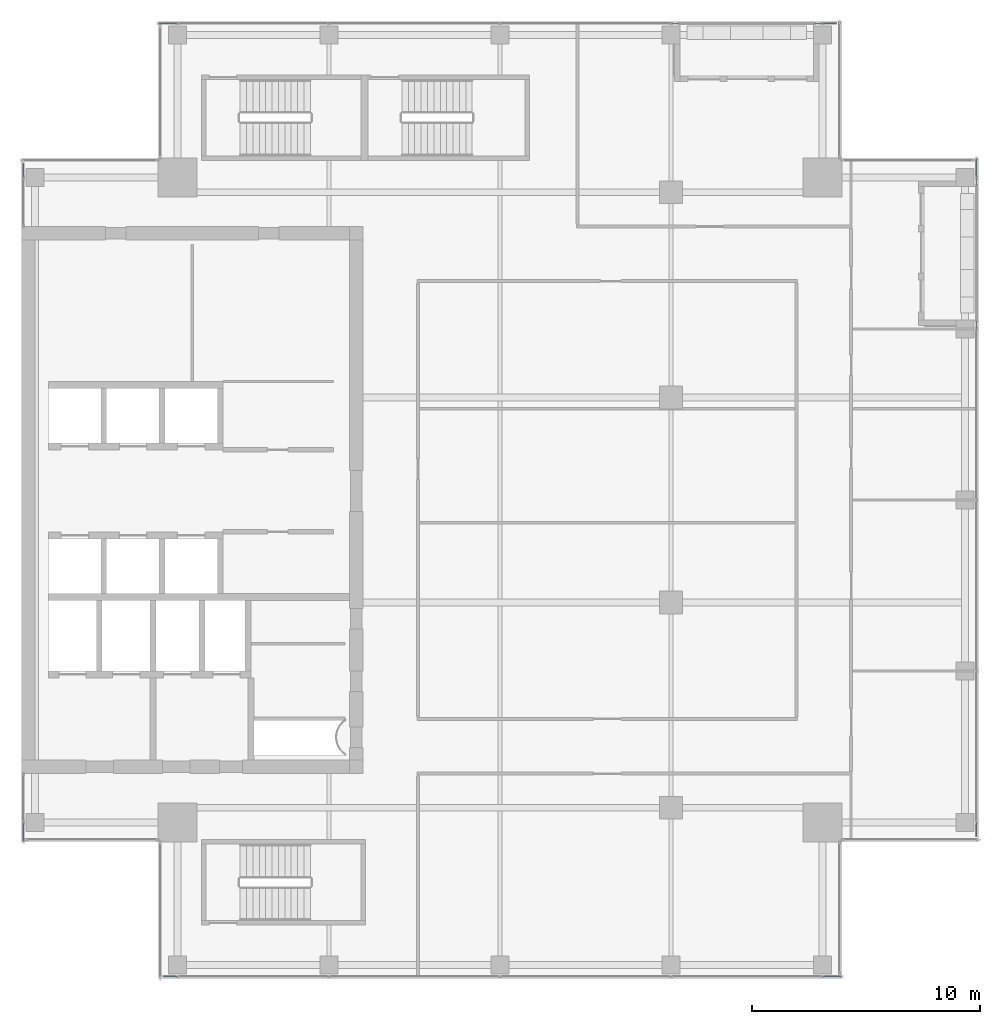
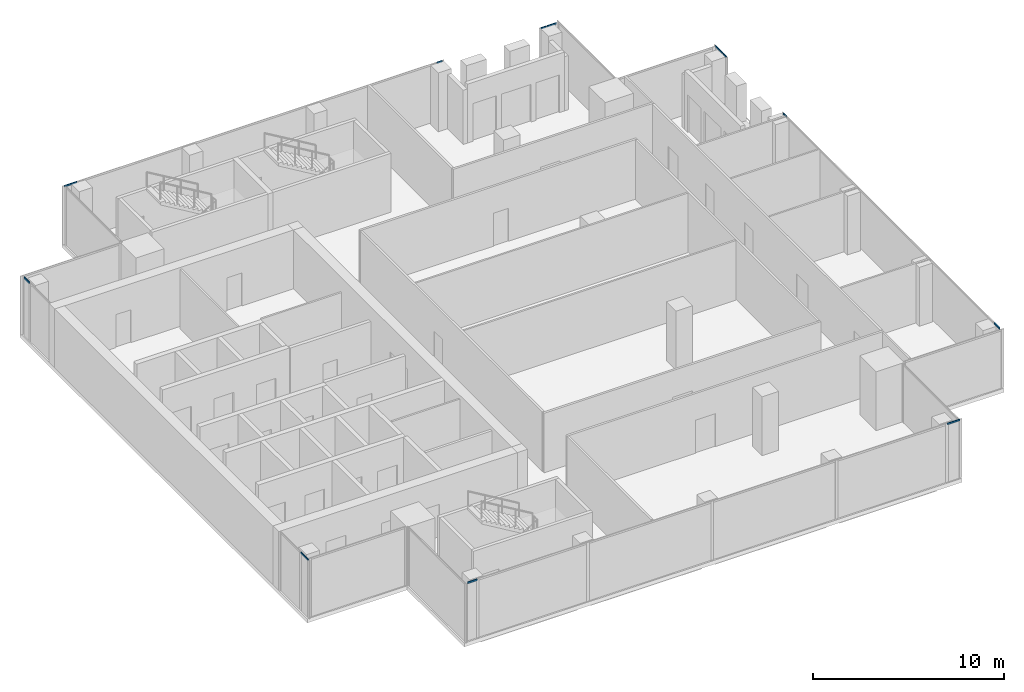
# One storey, part 19 of 29: 12 members, 7 elements without a shape of their own.
"""IFC4 building model written with IfcOpenShell, lengths in metres."""

from ifc_helpers import new_model, si_unit, direction, frame, origin, origin_2d, place, context, subcontext, project, spatial, hollow_rectangle, extrude, source, transform, mapped, material, material_profile, profile_set, type_object, element, aggregate, save


model = new_model("IFC4")

# Units and contexts
model_context = context("Model", 3, precision=1e-05, world=origin(), true_north=direction((0.0, 1.0)))
body_context = subcontext(model_context, "Body", "Model", "MODEL_VIEW")
ifc_project = project(units=[si_unit("LENGTHUNIT", "METRE"), si_unit("AREAUNIT", "SQUARE_METRE"), si_unit("VOLUMEUNIT", "CUBIC_METRE"), si_unit("PLANEANGLEUNIT", "RADIAN"), si_unit("MASSUNIT", "GRAM", prefix="KILO")], contexts=[model_context])

# Site, building, storey
site_placement = place(None, origin())
site = spatial("IfcSite", under=ifc_project, at=site_placement, CompositionType="ELEMENT")
building_placement = place(site_placement, origin())
building = spatial("IfcBuilding", under=site, at=building_placement, Name="Khomas Fold Tower", CompositionType="ELEMENT")
storey_placement = place(building_placement, frame((0.0, 0.0, 310.199951171875)))
storey = spatial("IfcBuildingStorey", under=building, at=storey_placement, Name="L70", CompositionType="ELEMENT", Elevation=310.199951171875)

# Curtain wall, member
ifc_material_1 = material(Name="Aluminium framed double glazing", Category="aluminium")
curtain_wall_type = type_object("IfcCurtainWallType", Name="SK-Unitised clear-glass wall, upper floors CW3", PredefinedType="NOTDEFINED", material=ifc_material_1)
curtain_wall_1_placement = place(storey_placement, origin())
curtain_wall_1 = element("IfcCurtainWall", 1, at=curtain_wall_1_placement, inside=storey, type_object=curtain_wall_type, Name="CW3 run L70 00-0", PredefinedType="NOTDEFINED")
ifc_material_2 = material(Name="Aluminium", Category="aluminium")
ifc_material_profile = material_profile(ifc_material_2, hollow_rectangle(XDim=0.050048828125, YDim=0.10009765625, WallThickness=0.00390625, at=origin_2d()), Name="SK-Unitised clear-glass wall, upper floors transom CW3-T")
ifc_profile_set = profile_set([ifc_material_profile], Name="Aluminium")
member_type = type_object("IfcMemberType", Name="SK-Unitised clear-glass wall, upper floors transom CW3-T", PredefinedType="USERDEFINED", material=ifc_profile_set)
shared_shape_1 = source(origin(), body_context, "Body", "SweptSolid", [
    extrude(hollow_rectangle(XDim=0.050048828125, YDim=0.10009765625, WallThickness=0.00390625, at=origin_2d()), origin(), (0.0, 0.0, 1.0), 0.574951171875),
])
member_1_placement = place(storey_placement, frame((12.25, 6.10009765625, 3.699951171875), z_axis=(1.0, 0.0, 0.0), x_axis=(0.0, 1.0, 0.0)))
member_1 = element("IfcMember", 2, at=member_1_placement, type_object=member_type, Name="CW3 transom 1", ObjectType="TRANSOM", PredefinedType="USERDEFINED", context=body_context, shape_type="MappedRepresentation", body=[
    mapped(shared_shape_1, transform((0.0, 0.0, 0.0))),
])

curtain_wall_2_placement = place(storey_placement, origin())
curtain_wall_2 = element("IfcCurtainWall", 3, at=curtain_wall_2_placement, inside=storey, type_object=curtain_wall_type, Name="CW3 run L70 03-0", PredefinedType="NOTDEFINED")
member_2_placement = place(storey_placement, frame((47.89990234375, 12.25, 3.699951171875), z_axis=(0.0, 1.0, 0.0), x_axis=(-1.0, 0.0, 0.0)))
member_2 = element("IfcMember", 4, at=member_2_placement, type_object=member_type, Name="CW3 transom 1", ObjectType="TRANSOM", PredefinedType="USERDEFINED", context=body_context, shape_type="MappedRepresentation", body=[
    mapped(shared_shape_1, transform((0.0, 0.0, 0.0))),
])

curtain_wall_3_placement = place(storey_placement, origin())
curtain_wall_3 = element("IfcCurtainWall", 5, at=curtain_wall_3_placement, inside=storey, type_object=curtain_wall_type, Name="CW3 run L70 06-0", PredefinedType="NOTDEFINED")
member_3_placement = place(storey_placement, frame((41.75, 47.89990234375, 3.699951171875), z_axis=(-1.0, 0.0, 0.0), x_axis=(0.0, -1.0, 0.0)))
member_3 = element("IfcMember", 6, at=member_3_placement, type_object=member_type, Name="CW3 transom 1", ObjectType="TRANSOM", PredefinedType="USERDEFINED", context=body_context, shape_type="MappedRepresentation", body=[
    mapped(shared_shape_1, transform((0.0, 0.0, 0.0))),
])

curtain_wall_4_placement = place(storey_placement, origin())
curtain_wall_4 = element("IfcCurtainWall", 7, at=curtain_wall_4_placement, inside=storey, type_object=curtain_wall_type, Name="CW3 run L70 09-0", PredefinedType="NOTDEFINED")
member_4_placement = place(storey_placement, frame((6.10009765625, 41.75, 3.699951171875), z_axis=(0.0, -1.0, 0.0), x_axis=(1.0, 0.0, 0.0)))
member_4 = element("IfcMember", 8, at=member_4_placement, type_object=member_type, Name="CW3 transom 1", ObjectType="TRANSOM", PredefinedType="USERDEFINED", context=body_context, shape_type="MappedRepresentation", body=[
    mapped(shared_shape_1, transform((0.0, 0.0, 0.0))),
])
aggregate(curtain_wall_4, [member_4])

# Member
shared_shape_2 = source(origin(), body_context, "Body", "SweptSolid", [
    extrude(hollow_rectangle(XDim=0.050048828125, YDim=0.10009765625, WallThickness=0.00390625, at=origin_2d()), origin(), (0.0, 0.0, 1.0), 0.77490234375),
])
member_5_placement = place(storey_placement, frame((41.175048828125, 6.10009765625, 3.699951171875), z_axis=(1.0, 0.0, 0.0), x_axis=(0.0, 1.0, 0.0)))
member_5 = element("IfcMember", 9, at=member_5_placement, type_object=member_type, Name="CW3 transom 6", ObjectType="TRANSOM", PredefinedType="USERDEFINED", context=body_context, shape_type="MappedRepresentation", body=[
    mapped(shared_shape_2, transform((0.0, 0.0, 0.0))),
])

aggregate(curtain_wall_1, [member_1, member_5])

# Curtain wall, member
curtain_wall_5_placement = place(storey_placement, origin())
curtain_wall_5 = element("IfcCurtainWall", 10, at=curtain_wall_5_placement, inside=storey, type_object=curtain_wall_type, Name="CW3 run L70 03-1", PredefinedType="NOTDEFINED")
member_6_placement = place(storey_placement, frame((47.89990234375, 41.175048828125, 3.699951171875), z_axis=(0.0, 1.0, 0.0), x_axis=(-1.0, 0.0, 0.0)))
member_6 = element("IfcMember", 11, at=member_6_placement, type_object=member_type, Name="CW3 transom 2", ObjectType="TRANSOM", PredefinedType="USERDEFINED", context=body_context, shape_type="MappedRepresentation", body=[
    mapped(shared_shape_2, transform((0.0, 0.0, 0.0))),
])

curtain_wall_6_placement = place(storey_placement, origin())
curtain_wall_6 = element("IfcCurtainWall", 12, at=curtain_wall_6_placement, inside=storey, type_object=curtain_wall_type, Name="CW3 run L70 06-1", PredefinedType="NOTDEFINED")
member_7_placement = place(storey_placement, frame((12.824951171875, 47.89990234375, 3.699951171875), z_axis=(-1.0, 0.0, 0.0), x_axis=(0.0, -1.0, 0.0)))
member_7 = element("IfcMember", 13, at=member_7_placement, type_object=member_type, Name="CW3 transom 5", ObjectType="TRANSOM", PredefinedType="USERDEFINED", context=body_context, shape_type="MappedRepresentation", body=[
    mapped(shared_shape_2, transform((0.0, 0.0, 0.0))),
])

curtain_wall_7_placement = place(storey_placement, origin())
curtain_wall_7 = element("IfcCurtainWall", 14, at=curtain_wall_7_placement, inside=storey, type_object=curtain_wall_type, Name="CW3 run L70 09-1", PredefinedType="NOTDEFINED")
member_8_placement = place(storey_placement, frame((6.10009765625, 12.824951171875, 3.699951171875), z_axis=(0.0, -1.0, 0.0), x_axis=(1.0, 0.0, 0.0)))
member_8 = element("IfcMember", 15, at=member_8_placement, type_object=member_type, Name="CW3 transom 2", ObjectType="TRANSOM", PredefinedType="USERDEFINED", context=body_context, shape_type="MappedRepresentation", body=[
    mapped(shared_shape_2, transform((0.0, 0.0, 0.0))),
])
aggregate(curtain_wall_7, [member_8])

# Member
shared_shape_3 = source(origin(), body_context, "Body", "SweptSolid", [
    extrude(hollow_rectangle(XDim=0.050048828125, YDim=0.10009765625, WallThickness=0.00390625, at=origin_2d()), origin(), (0.0, 0.0, 1.0), 0.3251953125),
])
member_9_placement = place(storey_placement, frame((47.89990234375, 34.52490234375, 3.699951171875), z_axis=(0.0, 1.0, 0.0), x_axis=(-1.0, 0.0, 0.0)))
member_9 = element("IfcMember", 16, at=member_9_placement, type_object=member_type, Name="CW3 transom 5", ObjectType="TRANSOM", PredefinedType="USERDEFINED", context=body_context, shape_type="MappedRepresentation", body=[
    mapped(shared_shape_3, transform((0.0, 0.0, 0.0))),
])

aggregate(curtain_wall_2, [member_2, member_9])

member_10_placement = place(storey_placement, frame((34.85009765625, 47.89990234375, 3.699951171875), z_axis=(-1.0, 0.0, 0.0), x_axis=(0.0, -1.0, 0.0)))
member_10 = element("IfcMember", 17, at=member_10_placement, type_object=member_type, Name="CW3 transom 1", ObjectType="TRANSOM", PredefinedType="USERDEFINED", context=body_context, shape_type="MappedRepresentation", body=[
    mapped(shared_shape_3, transform((0.0, 0.0, 0.0))),
])

aggregate(curtain_wall_6, [member_10, member_7])

shared_shape_4 = source(origin(), body_context, "Body", "SweptSolid", [
    extrude(hollow_rectangle(XDim=0.050048828125, YDim=0.10009765625, WallThickness=0.00390625, at=origin_2d()), origin(), (0.0, 0.0, 1.0), 0.324951171875),
])
member_11_placement = place(storey_placement, frame((47.89990234375, 40.800048828125, 3.699951171875), z_axis=(0.0, 1.0, 0.0), x_axis=(-1.0, 0.0, 0.0)))
member_11 = element("IfcMember", 18, at=member_11_placement, type_object=member_type, Name="CW3 transom 1", ObjectType="TRANSOM", PredefinedType="USERDEFINED", context=body_context, shape_type="MappedRepresentation", body=[
    mapped(shared_shape_4, transform((0.0, 0.0, 0.0))),
])

aggregate(curtain_wall_5, [member_11, member_6])

member_12_placement = place(storey_placement, frame((41.125, 47.89990234375, 3.699951171875), z_axis=(-1.0, 0.0, 0.0), x_axis=(0.0, -1.0, 0.0)))
member_12 = element("IfcMember", 19, at=member_12_placement, type_object=member_type, Name="CW3 transom 2", ObjectType="TRANSOM", PredefinedType="USERDEFINED", context=body_context, shape_type="MappedRepresentation", body=[
    mapped(shared_shape_4, transform((0.0, 0.0, 0.0))),
])

aggregate(curtain_wall_3, [member_3, member_12])

save(model, "model.ifc")
